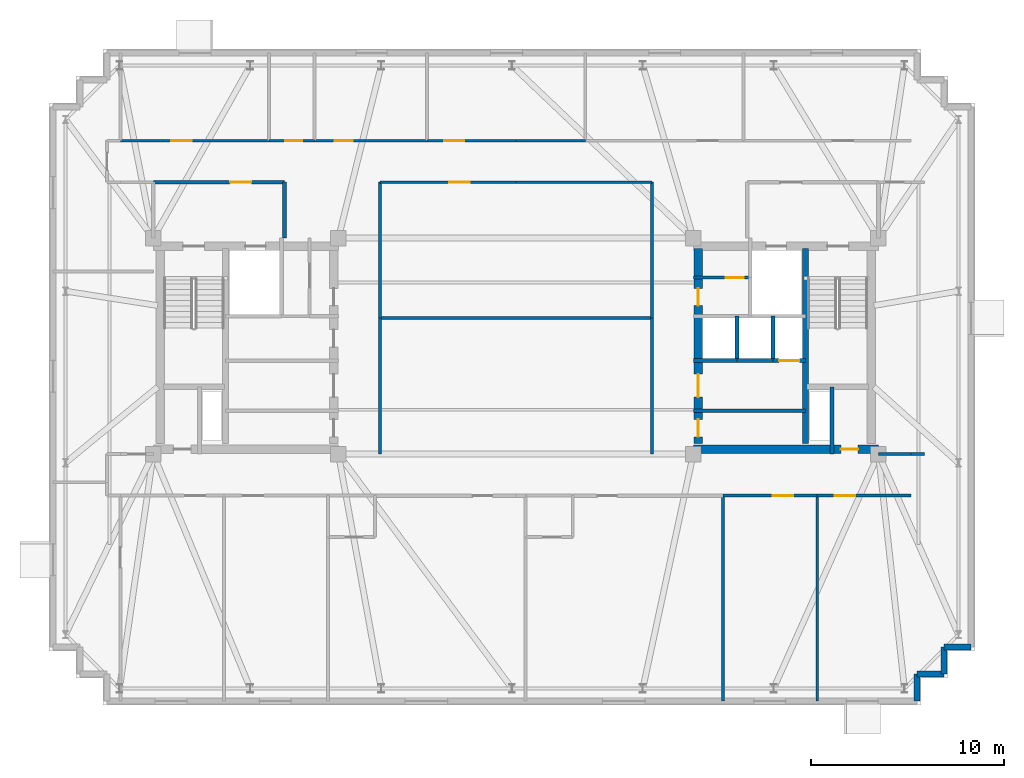
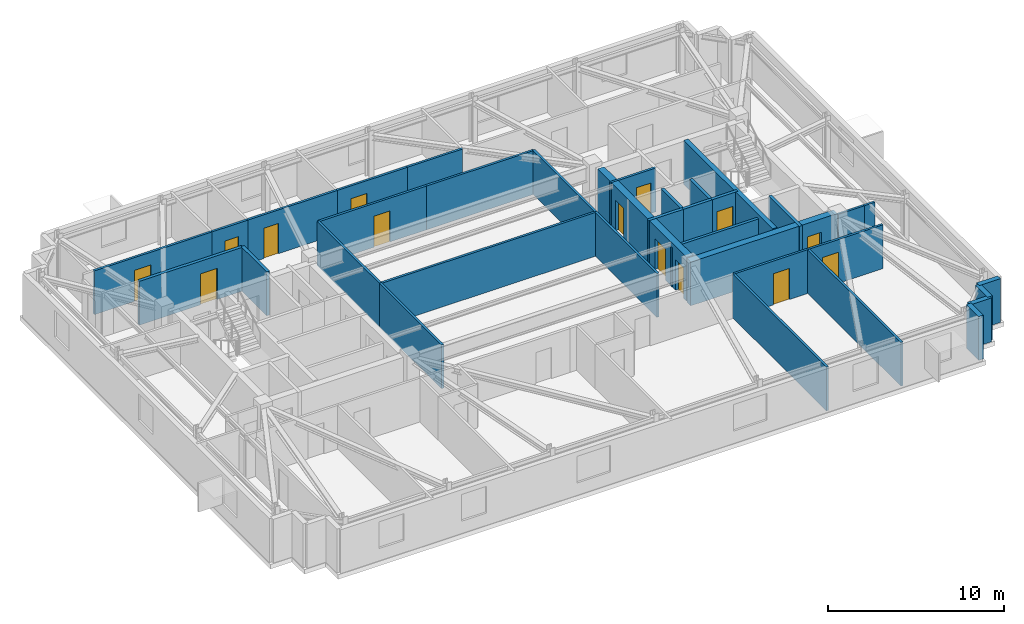
# One storey, part 7 of 11: 35 walls, 14 doors, 14 openings.
"""IFC4 building model written with IfcOpenShell, lengths in metres."""

from ifc_helpers import new_model, si_unit, direction, frame, frame_2d, origin, place, context, subcontext, project, spatial, rectangle, extrude, material, layer, layer_set, type_object, element, fill, save


model = new_model("IFC4")

# Units and contexts
model_context = context("Model", 3, precision=1e-05, world=origin(), true_north=direction((0.0, 1.0)))
body_context = subcontext(model_context, "Body", "Model", "MODEL_VIEW")
ifc_project = project(units=[si_unit("LENGTHUNIT", "METRE"), si_unit("AREAUNIT", "SQUARE_METRE"), si_unit("VOLUMEUNIT", "CUBIC_METRE"), si_unit("PLANEANGLEUNIT", "RADIAN"), si_unit("MASSUNIT", "GRAM", prefix="KILO")], contexts=[model_context])

# Site, building, storey
site_placement = place(None, origin())
site = spatial("IfcSite", under=ifc_project, at=site_placement, CompositionType="ELEMENT")
building_placement = place(site_placement, origin())
building = spatial("IfcBuilding", under=site, at=building_placement, Name="Qobustan Lattice House", CompositionType="ELEMENT")
storey_placement = place(building_placement, frame((0.0, 0.0, 258.449951171875)))
storey = spatial("IfcBuildingStorey", under=building, at=storey_placement, Name="L73", CompositionType="ELEMENT", Elevation=258.449951171875)

# Wall, opening, door
ifc_material_1 = material(Name="Concrete C50/60", Category="concrete")
ifc_layer_1 = layer(ifc_material_1, 0.43994140625)
ifc_layer_set_1 = layer_set([ifc_layer_1], Name="Concrete C50/60")
wall_type_1 = type_object("IfcWallType", Name="WAL-CORE-440", PredefinedType="SHEAR", material=ifc_layer_set_1)
wall_1_placement = place(storey_placement, frame((9.199951171875, -5.35009765625, 0.0), z_axis=(0.0, 0.0, 1.0), x_axis=(1.0, 0.0, 0.0)))
wall_1 = element("IfcWall", 1, at=wall_1_placement, inside=storey, type_object=wall_type_1, Name="L73 split-core shear wall CE-S", PredefinedType="SHEAR", context=body_context, shape_type="SweptSolid", body=[
    extrude(rectangle(XDim=9.60009765625, YDim=0.43994140625, at=frame_2d((4.800048828125, 0.0))), origin(), (0.0, 0.0, 1.0), 3.030029296875),
])
opening_1_placement = place(wall_1_placement, frame((7.64990234375, 0.0, 0.0)))
opening_1 = element("IfcOpeningElement", 2, at=opening_1_placement, cuts=wall_1, Name="Opening RD-01", PredefinedType="OPENING", context=body_context, shape_type="SweptSolid", body=[
    extrude(rectangle(XDim=0.89990234375, YDim=2.10009765625, at=frame_2d((0.449951171875, 1.050048828125))), frame((0.0, 0.22998046875, 0.0), z_axis=(0.0, -1.0, 0.0), x_axis=(1.0, 0.0, 0.0)), (0.0, 0.0, 1.0), 0.4599609375),
])
ifc_material_2 = material(Name="Persian walnut timber and steel frame door", Category="steel")
door_type_1 = type_object("IfcDoorType", Name="DOR-RISER-FD-900x2100", OperationType="NOTDEFINED", PredefinedType="DOOR", material=ifc_material_2)
door_1_placement = place(opening_1_placement, origin())
door_1 = element("IfcDoor", 3, at=door_1_placement, inside=storey, type_object=door_type_1, Name="L73 core service riser access door E", OperationType="SINGLE_SWING_RIGHT", OverallHeight=2.10009765625, OverallWidth=0.89990234375, PredefinedType="DOOR", context=body_context, shape_type="SweptSolid", body=[
    extrude(rectangle(XDim=0.89990234375, YDim=2.10009765625, at=frame_2d((0.449951171875, 1.050048828125))), frame((0.0, 0.02490234375, 0.0), z_axis=(0.0, -1.0, 0.0), x_axis=(1.0, 0.0, 0.0)), (0.0, 0.0, 1.0), 0.050048828125),
])
fill(opening_1, door_1)

# Wall, openings, doors
wall_2_placement = place(storey_placement, frame((9.449951171875, -5.050048828125, 0.0), z_axis=(0.0, 0.0, 1.0), x_axis=(0.0, 1.0, 0.0)))
wall_2 = element("IfcWall", 4, at=wall_2_placement, inside=storey, type_object=wall_type_1, Name="L73 split-core shear wall CE-W", PredefinedType="SHEAR", context=body_context, shape_type="SweptSolid", body=[
    extrude(rectangle(XDim=10.10009765625, YDim=0.43994140625, at=frame_2d((5.050048828125, 0.0))), origin(), (0.0, 0.0, 1.0), 3.030029296875),
])
opening_2_placement = place(wall_2_placement, frame((7.14990234375, 0.0, 0.0)))
opening_2 = element("IfcOpeningElement", 5, at=opening_2_placement, cuts=wall_2, Name="Opening RD-01", PredefinedType="OPENING", context=body_context, shape_type="SweptSolid", body=[
    extrude(rectangle(XDim=0.89990234375, YDim=2.10009765625, at=frame_2d((0.449951171875, 1.050048828125))), frame((0.0, 0.22998046875, 0.0), z_axis=(0.0, -1.0, 0.0), x_axis=(1.0, 0.0, 0.0)), (0.0, 0.0, 1.0), 0.4599609375),
])
opening_3_placement = place(wall_2_placement, frame((2.39990234375, 0.0, 0.0)))
opening_3 = element("IfcOpeningElement", 6, at=opening_3_placement, cuts=wall_2, Name="Opening FD-01", PredefinedType="OPENING", context=body_context, shape_type="SweptSolid", body=[
    extrude(rectangle(XDim=1.199951171875, YDim=2.14990234375, at=frame_2d((0.60009765625, 1.074951171875))), frame((0.0, 0.22998046875, 0.0), z_axis=(0.0, -1.0, 0.0), x_axis=(1.0, 0.0, 0.0)), (0.0, 0.0, 1.0), 0.4599609375),
])
opening_4_placement = place(wall_2_placement, frame((0.35009765625, 0.0, 0.0)))
opening_4 = element("IfcOpeningElement", 7, at=opening_4_placement, cuts=wall_2, Name="Opening RD-01", PredefinedType="OPENING", context=body_context, shape_type="SweptSolid", body=[
    extrude(rectangle(XDim=0.89990234375, YDim=2.10009765625, at=frame_2d((0.449951171875, 1.050048828125))), frame((0.0, 0.22998046875, 0.0), z_axis=(0.0, -1.0, 0.0), x_axis=(1.0, 0.0, 0.0)), (0.0, 0.0, 1.0), 0.4599609375),
])
ifc_material_3 = material(Name="Persian walnut timber and steel frame door", Category="steel")
door_type_2 = type_object("IfcDoorType", Name="DOR-LOBBY-FD-1200x2150", OperationType="NOTDEFINED", PredefinedType="DOOR", material=ifc_material_3)
door_2_placement = place(opening_3_placement, origin())
door_2 = element("IfcDoor", 8, at=door_2_placement, inside=storey, type_object=door_type_2, Name="L73 East passenger lift lobby fire door", OperationType="SINGLE_SWING_RIGHT", OverallHeight=2.14990234375, OverallWidth=1.199951171875, PredefinedType="DOOR", context=body_context, shape_type="SweptSolid", body=[
    extrude(rectangle(XDim=1.199951171875, YDim=2.14990234375, at=frame_2d((0.60009765625, 1.074951171875))), frame((0.0, 0.02490234375, 0.0), z_axis=(0.0, -1.0, 0.0), x_axis=(1.0, 0.0, 0.0)), (0.0, 0.0, 1.0), 0.050048828125),
])
fill(opening_3, door_2)
door_3_placement = place(opening_2_placement, origin())
door_3 = element("IfcDoor", 9, at=door_3_placement, inside=storey, type_object=door_type_1, Name="L73 Housekeeping utility foyer fire door", OperationType="SINGLE_SWING_LEFT", OverallHeight=2.10009765625, OverallWidth=0.89990234375, PredefinedType="DOOR", context=body_context, shape_type="SweptSolid", body=[
    extrude(rectangle(XDim=0.89990234375, YDim=2.10009765625, at=frame_2d((0.449951171875, 1.050048828125))), frame((0.0, 0.02490234375, 0.0), z_axis=(0.0, -1.0, 0.0), x_axis=(1.0, 0.0, 0.0)), (0.0, 0.0, 1.0), 0.050048828125),
])
fill(opening_2, door_3)
door_4_placement = place(opening_4_placement, origin())
door_4 = element("IfcDoor", 10, at=door_4_placement, inside=storey, type_object=door_type_1, Name="L73 Graduate seminar alcove fire door", OperationType="SINGLE_SWING_LEFT", OverallHeight=2.10009765625, OverallWidth=0.89990234375, PredefinedType="DOOR", context=body_context, shape_type="SweptSolid", body=[
    extrude(rectangle(XDim=0.89990234375, YDim=2.10009765625, at=frame_2d((0.449951171875, 1.050048828125))), frame((0.0, 0.02490234375, 0.0), z_axis=(0.0, -1.0, 0.0), x_axis=(1.0, 0.0, 0.0)), (0.0, 0.0, 1.0), 0.050048828125),
])
fill(opening_4, door_4)

# Walls
ifc_material_4 = material(Name="Concrete C50/60", Category="concrete")
ifc_layer_2 = layer(ifc_material_4, 0.280029296875)
ifc_layer_set_2 = layer_set([ifc_layer_2], Name="Concrete C50/60")
wall_type_2 = type_object("IfcWallType", Name="WAL-CORE-SPINE-280", PredefinedType="SHEAR", material=ifc_layer_set_2)
wall_3_placement = place(storey_placement, frame((15.02001953125, -5.050048828125, 0.0), z_axis=(0.0, 0.0, 1.0), x_axis=(0.0, 1.0, 0.0)))
element("IfcWall", 11, at=wall_3_placement, inside=storey, type_object=wall_type_2, Name="L73 split-core shear wall CE-M", PredefinedType="SHEAR", context=body_context, shape_type="SweptSolid", body=[
    extrude(rectangle(XDim=10.10009765625, YDim=0.300048828125, at=frame_2d((5.050048828125, 0.0))), origin(), (0.0, 0.0, 1.0), 3.030029296875),
])
ifc_material_5 = material(Name="Precast concrete C40/50", Category="concrete")
ifc_layer_3 = layer(ifc_material_5, 0.320068359375)
ifc_layer_set_3 = layer_set([ifc_layer_3], Name="Precast concrete C40/50")
wall_type_3 = type_object("IfcWallType", Name="WAL-EXT-STONE-320", PredefinedType="SOLIDWALL", material=ifc_layer_set_3)
wall_4_placement = place(storey_placement, frame((23.60009765625, -15.60009765625, 0.0), z_axis=(0.0, 0.0, 1.0), x_axis=(-1.0, 0.0, 0.0)))
element("IfcWall", 12, at=wall_4_placement, inside=storey, type_object=wall_type_3, Name="L73 exterior limestone-clad wall 16", PredefinedType="SOLIDWALL", context=body_context, shape_type="SweptSolid", body=[
    extrude(rectangle(XDim=1.400146484375, YDim=0.320068359375, at=frame_2d((0.7001953125, 0.0))), origin(), (0.0, 0.0, 1.0), 3.030029296875),
])
for number, where, z_axis, x_axis, name in (
    (13, (22.199951171875, -15.60009765625, 0.0), (0.0, 0.0, 1.0), (0.0, -1.0, 0.0), "L73 exterior limestone-clad wall 17"),
    (14, (22.199951171875, -17.0, 0.0), (0.0, 0.0, 1.0), (-1.0, 0.0, 0.0), "L73 exterior limestone-clad wall 18"),
    (15, (20.800048828125, -17.0, 0.0), (0.0, 0.0, 1.0), (0.0, -1.0, 0.0), "L73 exterior limestone-clad wall 19"),
):
    element("IfcWall", number, at=place(storey_placement, frame(where, z_axis=z_axis, x_axis=x_axis)), inside=storey, type_object=wall_type_3, Name=name, PredefinedType="SOLIDWALL", context=body_context, shape_type="SweptSolid", body=[
        extrude(rectangle(XDim=1.39990234375, YDim=0.320068359375, at=frame_2d((0.699951171875, 0.0))), origin(), (0.0, 0.0, 1.0), 3.030029296875),
    ])
ifc_material_6 = material(Name="Gypsum fireboard acoustic partition", Category="gypsum")
ifc_layer_4 = layer(ifc_material_6, 0.179931640625)
ifc_layer_set_4 = layer_set([ifc_layer_4], Name="Gypsum fireboard acoustic partition")
wall_type_4 = type_object("IfcWallType", Name="WAL-FIRE-180", PredefinedType="PARTITIONING", material=ifc_layer_set_4)
wall_5_placement = place(storey_placement, frame((9.199951171875, -3.35009765625, 0.0), z_axis=(0.0, 0.0, 1.0), x_axis=(1.0, 0.0, 0.0)))
element("IfcWall", 16, at=wall_5_placement, inside=storey, type_object=wall_type_4, Name="L73 interior partition 23", PredefinedType="PARTITIONING", context=body_context, shape_type="SweptSolid", body=[
    extrude(rectangle(XDim=5.820068359375, YDim=0.179931640625, at=frame_2d((2.91015625, 0.0))), origin(), (0.0, 0.0, 1.0), 2.7451171875),
])

# Wall, opening, door
ifc_material_7 = material(Name="Acoustic twin-stud gypsum partition", Category="gypsum")
ifc_layer_5 = layer(ifc_material_7, 0.14990234375)
ifc_layer_set_5 = layer_set([ifc_layer_5], Name="Acoustic twin-stud gypsum partition")
wall_type_5 = type_object("IfcWallType", Name="WAL-PART-150", PredefinedType="PARTITIONING", material=ifc_layer_set_5)
wall_6_placement = place(storey_placement, frame((12.14990234375, 3.550048828125, 0.0), z_axis=(0.0, 0.0, 1.0), x_axis=(-1.0, 0.0, 0.0)))
wall_6 = element("IfcWall", 17, at=wall_6_placement, inside=storey, type_object=wall_type_5, Name="L73 interior partition 21", PredefinedType="PARTITIONING", context=body_context, shape_type="SweptSolid", body=[
    extrude(rectangle(XDim=2.949951171875, YDim=0.14990234375, at=frame_2d((1.47509765625, 0.0))), origin(), (0.0, 0.0, 1.0), 3.030029296875),
])
opening_5_placement = place(wall_6_placement, frame((0.324951171875, 0.0, 0.0)))
opening_5 = element("IfcOpeningElement", 18, at=opening_5_placement, cuts=wall_6, Name="Opening ID-01", PredefinedType="OPENING", context=body_context, shape_type="SweptSolid", body=[
    extrude(rectangle(XDim=0.949951171875, YDim=2.10009765625, at=frame_2d((0.47509765625, 1.050048828125))), frame((0.0, 0.0849609375, 0.0), z_axis=(0.0, -1.0, 0.0), x_axis=(1.0, 0.0, 0.0)), (0.0, 0.0, 1.0), 0.169921875),
])
ifc_material_8 = material(Name="Persian walnut timber and steel frame door", Category="steel")
door_type_3 = type_object("IfcDoorType", Name="DOR-ROOM-950x2100", OperationType="NOTDEFINED", PredefinedType="DOOR", material=ifc_material_8)
door_5_placement = place(opening_5_placement, origin())
door_5 = element("IfcDoor", 19, at=door_5_placement, inside=storey, type_object=door_type_3, Name="L73 Housekeeping utility foyer to Cleaner cupboard door", OperationType="SINGLE_SWING_RIGHT", OverallHeight=2.10009765625, OverallWidth=0.949951171875, PredefinedType="DOOR", context=body_context, shape_type="SweptSolid", body=[
    extrude(rectangle(XDim=0.949951171875, YDim=2.10009765625, at=frame_2d((0.47509765625, 1.050048828125))), frame((0.0, 0.02490234375, 0.0), z_axis=(0.0, -1.0, 0.0), x_axis=(1.0, 0.0, 0.0)), (0.0, 0.0, 1.0), 0.050048828125),
])
fill(opening_5, door_5)

wall_7_placement = place(storey_placement, frame((-20.5, 10.64990234375, 0.0), z_axis=(0.0, 0.0, 1.0), x_axis=(1.0, 0.0, 0.0)))
wall_7 = element("IfcWall", 20, at=wall_7_placement, inside=storey, type_object=wall_type_5, Name="L73 interior partition 35", PredefinedType="PARTITIONING", context=body_context, shape_type="SweptSolid", body=[
    extrude(rectangle(XDim=7.699951171875, YDim=0.14990234375, at=frame_2d((3.85009765625, 0.0))), origin(), (0.0, 0.0, 1.0), 3.030029296875),
])
opening_6_placement = place(wall_7_placement, frame((2.638671875, 0.0, 0.0)))
opening_6 = element("IfcOpeningElement", 21, at=opening_6_placement, cuts=wall_7, Name="Opening ID-02", PredefinedType="OPENING", context=body_context, shape_type="SweptSolid", body=[
    extrude(rectangle(XDim=1.050048828125, YDim=2.14990234375, at=frame_2d((0.52490234375, 1.074951171875))), frame((0.0, 0.0849609375, 0.0), z_axis=(0.0, -1.0, 0.0), x_axis=(1.0, 0.0, 0.0)), (0.0, 0.0, 1.0), 0.169921875),
])
ifc_material_9 = material(Name="Persian walnut timber and steel frame door", Category="steel")
door_type_4 = type_object("IfcDoorType", Name="DOR-STUDY-1050x2150", OperationType="NOTDEFINED", PredefinedType="DOOR", material=ifc_material_9)
door_6_placement = place(opening_6_placement, origin())
door_6 = element("IfcDoor", 22, at=door_6_placement, inside=storey, type_object=door_type_4, Name="L73 North-west floor corridor to Focus study room N1 door", OperationType="SINGLE_SWING_LEFT", OverallHeight=2.14990234375, OverallWidth=1.050048828125, PredefinedType="DOOR", context=body_context, shape_type="SweptSolid", body=[
    extrude(rectangle(XDim=1.050048828125, YDim=2.14990234375, at=frame_2d((0.52490234375, 1.074951171875))), frame((0.0, 0.02490234375, 0.0), z_axis=(0.0, -1.0, 0.0), x_axis=(1.0, 0.0, 0.0)), (0.0, 0.0, 1.0), 0.050048828125),
])
fill(opening_6, door_6)

wall_8_placement = place(storey_placement, frame((-10.449951171875, 10.64990234375, 0.0), z_axis=(0.0, 0.0, 1.0), x_axis=(1.0, 0.0, 0.0)))
wall_8 = element("IfcWall", 23, at=wall_8_placement, inside=storey, type_object=wall_type_5, Name="L73 interior partition 37", PredefinedType="PARTITIONING", context=body_context, shape_type="SweptSolid", body=[
    extrude(rectangle(XDim=5.849853515625, YDim=0.14990234375, at=frame_2d((2.9248046875, 0.0))), origin(), (0.0, 0.0, 1.0), 3.030029296875),
])
opening_7_placement = place(wall_8_placement, frame((1.047607421875, 0.0, 0.0)))
opening_7 = element("IfcOpeningElement", 24, at=opening_7_placement, cuts=wall_8, Name="Opening ID-01", PredefinedType="OPENING", context=body_context, shape_type="SweptSolid", body=[
    extrude(rectangle(XDim=0.949951171875, YDim=2.10009765625, at=frame_2d((0.47509765625, 1.050048828125))), frame((0.0, 0.0849609375, 0.0), z_axis=(0.0, -1.0, 0.0), x_axis=(1.0, 0.0, 0.0)), (0.0, 0.0, 1.0), 0.169921875),
])
door_7_placement = place(opening_7_placement, origin())
door_7 = element("IfcDoor", 25, at=door_7_placement, inside=storey, type_object=door_type_3, Name="L73 North-west floor corridor to Laundry utility room door", OperationType="SINGLE_SWING_LEFT", OverallHeight=2.10009765625, OverallWidth=0.949951171875, PredefinedType="DOOR", context=body_context, shape_type="SweptSolid", body=[
    extrude(rectangle(XDim=0.949951171875, YDim=2.10009765625, at=frame_2d((0.47509765625, 1.050048828125))), frame((0.0, 0.02490234375, 0.0), z_axis=(0.0, -1.0, 0.0), x_axis=(1.0, 0.0, 0.0)), (0.0, 0.0, 1.0), 0.050048828125),
])
fill(opening_7, door_7)

wall_9_placement = place(storey_placement, frame((-4.60009765625, 10.64990234375, 0.0), z_axis=(0.0, 0.0, 1.0), x_axis=(1.0, 0.0, 0.0)))
wall_9 = element("IfcWall", 26, at=wall_9_placement, inside=storey, type_object=wall_type_5, Name="L73 interior partition 38", PredefinedType="PARTITIONING", context=body_context, shape_type="SweptSolid", body=[
    extrude(rectangle(XDim=4.60009765625, YDim=0.14990234375, at=frame_2d((2.300048828125, 0.0))), origin(), (0.0, 0.0, 1.0), 3.030029296875),
])
opening_8_placement = place(wall_9_placement, frame((0.87890625, 0.0, 0.0)))
opening_8 = element("IfcOpeningElement", 27, at=opening_8_placement, cuts=wall_9, Name="Opening ID-02", PredefinedType="OPENING", context=body_context, shape_type="SweptSolid", body=[
    extrude(rectangle(XDim=1.050048828125, YDim=2.14990234375, at=frame_2d((0.52490234375, 1.074951171875))), frame((0.0, 0.0849609375, 0.0), z_axis=(0.0, -1.0, 0.0), x_axis=(1.0, 0.0, 0.0)), (0.0, 0.0, 1.0), 0.169921875),
])
door_8_placement = place(opening_8_placement, origin())
door_8 = element("IfcDoor", 28, at=door_8_placement, inside=storey, type_object=door_type_4, Name="L73 North-west floor corridor to Focus study room N3 door", OperationType="SINGLE_SWING_RIGHT", OverallHeight=2.14990234375, OverallWidth=1.050048828125, PredefinedType="DOOR", context=body_context, shape_type="SweptSolid", body=[
    extrude(rectangle(XDim=1.050048828125, YDim=2.14990234375, at=frame_2d((0.52490234375, 1.074951171875))), frame((0.0, 0.02490234375, 0.0), z_axis=(0.0, -1.0, 0.0), x_axis=(1.0, 0.0, 0.0)), (0.0, 0.0, 1.0), 0.050048828125),
])
fill(opening_8, door_8)

wall_10_placement = place(storey_placement, frame((0.0, 8.5, 0.0), z_axis=(0.0, 0.0, 1.0), x_axis=(-1.0, 0.0, 0.0)))
wall_10 = element("IfcWall", 29, at=wall_10_placement, inside=storey, type_object=wall_type_5, Name="L73 interior partition 39", PredefinedType="PARTITIONING", context=body_context, shape_type="SweptSolid", body=[
    extrude(rectangle(XDim=7.050048828125, YDim=0.14990234375, at=frame_2d((3.52490234375, 0.0))), origin(), (0.0, 0.0, 1.0), 3.030029296875),
])
opening_9_placement = place(wall_10_placement, frame((2.39501953125, 0.0, 0.0)))
opening_9 = element("IfcOpeningElement", 30, at=opening_9_placement, cuts=wall_10, Name="Opening ID-02", PredefinedType="OPENING", context=body_context, shape_type="SweptSolid", body=[
    extrude(rectangle(XDim=1.050048828125, YDim=2.14990234375, at=frame_2d((0.52490234375, 1.074951171875))), frame((0.0, 0.0849609375, 0.0), z_axis=(0.0, -1.0, 0.0), x_axis=(1.0, 0.0, 0.0)), (0.0, 0.0, 1.0), 0.169921875),
])
door_9_placement = place(opening_9_placement, origin())
door_9 = element("IfcDoor", 31, at=door_9_placement, inside=storey, type_object=door_type_4, Name="L73 North-west floor corridor to Shared social lounge door", OperationType="SINGLE_SWING_LEFT", OverallHeight=2.14990234375, OverallWidth=1.050048828125, PredefinedType="DOOR", context=body_context, shape_type="SweptSolid", body=[
    extrude(rectangle(XDim=1.050048828125, YDim=2.14990234375, at=frame_2d((0.52490234375, 1.074951171875))), frame((0.0, 0.02490234375, 0.0), z_axis=(0.0, -1.0, 0.0), x_axis=(1.0, 0.0, 0.0)), (0.0, 0.0, 1.0), 0.050048828125),
])
fill(opening_9, door_9)

# Walls
wall_11_placement = place(storey_placement, frame((0.0, 10.64990234375, 0.0), z_axis=(0.0, 0.0, 1.0), x_axis=(1.0, 0.0, 0.0)))
element("IfcWall", 32, at=wall_11_placement, inside=storey, type_object=wall_type_5, Name="L73 interior partition 42", PredefinedType="PARTITIONING", context=body_context, shape_type="SweptSolid", body=[
    extrude(rectangle(XDim=3.60009765625, YDim=0.14990234375, at=frame_2d((1.800048828125, 0.0))), origin(), (0.0, 0.0, 1.0), 3.030029296875),
])
wall_12_placement = place(storey_placement, frame((7.050048828125, 8.5, 0.0), z_axis=(0.0, 0.0, 1.0), x_axis=(-1.0, 0.0, 0.0)))
element("IfcWall", 33, at=wall_12_placement, inside=storey, type_object=wall_type_5, Name="L73 interior partition 45", PredefinedType="PARTITIONING", context=body_context, shape_type="SweptSolid", body=[
    extrude(rectangle(XDim=7.050048828125, YDim=0.14990234375, at=frame_2d((3.52490234375, 0.0))), origin(), (0.0, 0.0, 1.0), 3.030029296875),
])
wall_13_placement = place(storey_placement, frame((18.800048828125, -5.60009765625, 0.0), z_axis=(0.0, 0.0, 1.0), x_axis=(1.0, 0.0, 0.0)))
element("IfcWall", 34, at=wall_13_placement, inside=storey, type_object=wall_type_5, Name="L73 interior partition 55", PredefinedType="PARTITIONING", context=body_context, shape_type="SweptSolid", body=[
    extrude(rectangle(XDim=1.699951171875, YDim=0.14990234375, at=frame_2d((0.85009765625, 0.0))), origin(), (0.0, 0.0, 1.0), 3.030029296875),
])
wall_14_placement = place(storey_placement, frame((20.5, -5.60009765625, 0.0), z_axis=(0.0, 0.0, 1.0), x_axis=(1.0, 0.0, 0.0)))
element("IfcWall", 35, at=wall_14_placement, inside=storey, type_object=wall_type_5, Name="L73 interior partition 56", PredefinedType="PARTITIONING", context=body_context, shape_type="SweptSolid", body=[
    extrude(rectangle(XDim=0.699951171875, YDim=0.14990234375, at=frame_2d((0.35009765625, 0.0))), origin(), (0.0, 0.0, 1.0), 3.030029296875),
])

# Wall, opening, door
wall_15_placement = place(storey_placement, frame((15.625, -7.75, 0.0), z_axis=(0.0, 0.0, 1.0), x_axis=(-1.0, 0.0, 0.0)))
wall_15 = element("IfcWall", 36, at=wall_15_placement, inside=storey, type_object=wall_type_5, Name="L73 interior partition 60", PredefinedType="PARTITIONING", context=body_context, shape_type="SweptSolid", body=[
    extrude(rectangle(XDim=4.875, YDim=0.14990234375, at=frame_2d((2.4375, 0.0))), origin(), (0.0, 0.0, 1.0), 3.030029296875),
])
opening_10_placement = place(wall_15_placement, frame((1.24609375, 0.0, 0.0)))
opening_10 = element("IfcOpeningElement", 37, at=opening_10_placement, cuts=wall_15, Name="Opening ID-02", PredefinedType="OPENING", context=body_context, shape_type="SweptSolid", body=[
    extrude(rectangle(XDim=1.050048828125, YDim=2.14990234375, at=frame_2d((0.52490234375, 1.074951171875))), frame((0.0, 0.0849609375, 0.0), z_axis=(0.0, -1.0, 0.0), x_axis=(1.0, 0.0, 0.0)), (0.0, 0.0, 1.0), 0.169921875),
])
door_10_placement = place(opening_10_placement, origin())
door_10 = element("IfcDoor", 38, at=door_10_placement, inside=storey, type_object=door_type_4, Name="L73 South-east floor corridor to Group study room door", OperationType="SINGLE_SWING_RIGHT", OverallHeight=2.14990234375, OverallWidth=1.050048828125, PredefinedType="DOOR", context=body_context, shape_type="SweptSolid", body=[
    extrude(rectangle(XDim=1.050048828125, YDim=2.14990234375, at=frame_2d((0.52490234375, 1.074951171875))), frame((0.0, 0.02490234375, 0.0), z_axis=(0.0, -1.0, 0.0), x_axis=(1.0, 0.0, 0.0)), (0.0, 0.0, 1.0), 0.050048828125),
])
fill(opening_10, door_10)

wall_16_placement = place(storey_placement, frame((20.5, -7.75, 0.0), z_axis=(0.0, 0.0, 1.0), x_axis=(-1.0, 0.0, 0.0)))
wall_16 = element("IfcWall", 39, at=wall_16_placement, inside=storey, type_object=wall_type_5, Name="L73 interior partition 61", PredefinedType="PARTITIONING", context=body_context, shape_type="SweptSolid", body=[
    extrude(rectangle(XDim=4.875, YDim=0.14990234375, at=frame_2d((2.4375, 0.0))), origin(), (0.0, 0.0, 1.0), 3.030029296875),
])
opening_11_placement = place(wall_16_placement, frame((2.911865234375, 0.0, 0.0)))
opening_11 = element("IfcOpeningElement", 40, at=opening_11_placement, cuts=wall_16, Name="Opening ID-02", PredefinedType="OPENING", context=body_context, shape_type="SweptSolid", body=[
    extrude(rectangle(XDim=1.050048828125, YDim=2.14990234375, at=frame_2d((0.52490234375, 1.074951171875))), frame((0.0, 0.0849609375, 0.0), z_axis=(0.0, -1.0, 0.0), x_axis=(1.0, 0.0, 0.0)), (0.0, 0.0, 1.0), 0.169921875),
])
door_11_placement = place(opening_11_placement, origin())
door_11 = element("IfcDoor", 41, at=door_11_placement, inside=storey, type_object=door_type_4, Name="L73 South-east floor corridor to Academic seminar room door", OperationType="SINGLE_SWING_LEFT", OverallHeight=2.14990234375, OverallWidth=1.050048828125, PredefinedType="DOOR", context=body_context, shape_type="SweptSolid", body=[
    extrude(rectangle(XDim=1.050048828125, YDim=2.14990234375, at=frame_2d((0.52490234375, 1.074951171875))), frame((0.0, 0.02490234375, 0.0), z_axis=(0.0, -1.0, 0.0), x_axis=(1.0, 0.0, 0.0)), (0.0, 0.0, 1.0), 0.050048828125),
])
fill(opening_11, door_11)

# Walls
for number, where, z_axis, x_axis, name in (
    (42, (-7.050048828125, 1.449951171875, 0.0), (0.0, 0.0, 1.0), (0.0, -1.0, 0.0), "L73 interior partition 62"),
    (43, (-7.050048828125, 8.5, 0.0), (0.0, 0.0, 1.0), (0.0, -1.0, 0.0), "L73 interior partition 63"),
    (44, (7.050048828125, -5.60009765625, 0.0), (0.0, 0.0, 1.0), (0.0, 1.0, 0.0), "L73 interior partition 64"),
    (45, (7.050048828125, 1.449951171875, 0.0), (0.0, 0.0, 1.0), (0.0, 1.0, 0.0), "L73 interior partition 65"),
):
    element("IfcWall", number, at=place(storey_placement, frame(where, z_axis=z_axis, x_axis=x_axis)), inside=storey, type_object=wall_type_5, Name=name, PredefinedType="PARTITIONING", context=body_context, shape_type="SweptSolid", body=[
        extrude(rectangle(XDim=7.050048828125, YDim=0.14990234375, at=frame_2d((3.52490234375, 0.0))), origin(), (0.0, 0.0, 1.0), 3.030029296875),
    ])
for number, where, z_axis, x_axis, name in (
    (46, (10.75, -7.75, 0.0), (0.0, 0.0, 1.0), (0.0, -1.0, 0.0), "L73 interior partition 84"),
    (47, (15.625, -7.75, 0.0), (0.0, 0.0, 1.0), (0.0, -1.0, 0.0), "L73 interior partition 85"),
):
    element("IfcWall", number, at=place(storey_placement, frame(where, z_axis=z_axis, x_axis=x_axis)), inside=storey, type_object=wall_type_5, Name=name, PredefinedType="PARTITIONING", context=body_context, shape_type="SweptSolid", body=[
        extrude(rectangle(XDim=10.64990234375, YDim=0.14990234375, at=frame_2d((5.324951171875, 0.0))), origin(), (0.0, 0.0, 1.0), 3.030029296875),
    ])
wall_17_placement = place(storey_placement, frame((-7.050048828125, 1.449951171875, 0.0), z_axis=(0.0, 0.0, 1.0), x_axis=(1.0, 0.0, 0.0)))
element("IfcWall", 48, at=wall_17_placement, inside=storey, type_object=wall_type_5, Name="L73 interior partition 86", PredefinedType="PARTITIONING", context=body_context, shape_type="SweptSolid", body=[
    extrude(rectangle(XDim=14.10009765625, YDim=0.14990234375, at=frame_2d((7.050048828125, 0.0))), origin(), (0.0, 0.0, 1.0), 3.030029296875),
])

# Wall, opening, door
ifc_material_10 = material(Name="Two-hour gypsum fireboard acoustic partition", Category="gypsum")
ifc_layer_6 = layer(ifc_material_10, 0.199951171875)
ifc_layer_set_6 = layer_set([ifc_layer_6], Name="Two-hour gypsum fireboard acoustic partition")
wall_type_6 = type_object("IfcWallType", Name="WAL-PROT-200", PredefinedType="PARTITIONING", material=ifc_layer_set_6)
wall_18_placement = place(storey_placement, frame((-12.0, 8.5, 0.0), z_axis=(0.0, 0.0, 1.0), x_axis=(-1.0, 0.0, 0.0)))
wall_18 = element("IfcWall", 49, at=wall_18_placement, inside=storey, type_object=wall_type_6, Name="L73 interior partition 3", PredefinedType="PARTITIONING", context=body_context, shape_type="SweptSolid", body=[
    extrude(rectangle(XDim=6.800048828125, YDim=0.199951171875, at=frame_2d((3.39990234375, 0.0))), origin(), (0.0, 0.0, 1.0), 3.030029296875),
])
opening_12_placement = place(wall_18_placement, frame((1.715087890625, 0.0, 0.0)))
opening_12 = element("IfcOpeningElement", 50, at=opening_12_placement, cuts=wall_18, Name="Opening SD-01", PredefinedType="OPENING", context=body_context, shape_type="SweptSolid", body=[
    extrude(rectangle(XDim=1.10009765625, YDim=2.14990234375, at=frame_2d((0.550048828125, 1.074951171875))), frame((0.0, 0.10986328125, 0.0), z_axis=(0.0, -1.0, 0.0), x_axis=(1.0, 0.0, 0.0)), (0.0, 0.0, 1.0), 0.219970703125),
])
ifc_material_11 = material(Name="Persian walnut timber and steel frame door", Category="steel")
door_type_5 = type_object("IfcDoorType", Name="DOR-STAIR-FD-1100x2150", OperationType="NOTDEFINED", PredefinedType="DOOR", material=ifc_material_11)
door_12_placement = place(opening_12_placement, origin())
door_12 = element("IfcDoor", 51, at=door_12_placement, inside=storey, type_object=door_type_5, Name="L73 West firefighting lift lobby to North-west floor corridor door", OperationType="SINGLE_SWING_LEFT", OverallHeight=2.14990234375, OverallWidth=1.10009765625, PredefinedType="DOOR", context=body_context, shape_type="SweptSolid", body=[
    extrude(rectangle(XDim=1.10009765625, YDim=2.14990234375, at=frame_2d((0.550048828125, 1.074951171875))), frame((0.0, 0.02490234375, 0.0), z_axis=(0.0, -1.0, 0.0), x_axis=(1.0, 0.0, 0.0)), (0.0, 0.0, 1.0), 0.050048828125),
])
fill(opening_12, door_12)

# Walls
wall_19_placement = place(storey_placement, frame((-12.0, 5.60009765625, 0.0), z_axis=(0.0, 0.0, 1.0), x_axis=(0.0, 1.0, 0.0)))
element("IfcWall", 52, at=wall_19_placement, inside=storey, type_object=wall_type_6, Name="L73 interior partition 4", PredefinedType="PARTITIONING", context=body_context, shape_type="SweptSolid", body=[
    extrude(rectangle(XDim=2.89990234375, YDim=0.199951171875, at=frame_2d((1.449951171875, 0.0))), origin(), (0.0, 0.0, 1.0), 3.030029296875),
])
ifc_material_12 = material(Name="Concrete C40/50", Category="concrete")
ifc_layer_7 = layer(ifc_material_12, 0.199951171875)
ifc_layer_set_7 = layer_set([ifc_layer_7], Name="Concrete C40/50")
wall_type_7 = type_object("IfcWallType", Name="WAL-SHAFT-200", PredefinedType="PARTITIONING", material=ifc_layer_set_7)
wall_20_placement = place(storey_placement, frame((16.39990234375, -2.110107421875, 0.0), z_axis=(0.0, 0.0, 1.0), x_axis=(0.0, -1.0, 0.0)))
element("IfcWall", 53, at=wall_20_placement, inside=storey, type_object=wall_type_7, Name="L73 interior partition 15", PredefinedType="PARTITIONING", context=body_context, shape_type="SweptSolid", body=[
    extrude(rectangle(XDim=3.489990234375, YDim=0.199951171875, at=frame_2d((1.7451171875, 0.0))), origin(), (0.0, 0.0, 1.0), 3.030029296875),
])
wall_21_placement = place(storey_placement, frame((11.4599609375, -0.75, 0.0), z_axis=(0.0, 0.0, 1.0), x_axis=(-1.0, 0.0, 0.0)))
element("IfcWall", 54, at=wall_21_placement, inside=storey, type_object=wall_type_7, Name="L73 interior partition 24", PredefinedType="PARTITIONING", context=body_context, shape_type="SweptSolid", body=[
    extrude(rectangle(XDim=2.260009765625, YDim=0.199951171875, at=frame_2d((1.1298828125, 0.0))), origin(), (0.0, 0.0, 1.0), 3.030029296875),
])
wall_22_placement = place(storey_placement, frame((13.340087890625, -0.75, 0.0), z_axis=(0.0, 0.0, 1.0), x_axis=(-1.0, 0.0, 0.0)))
element("IfcWall", 55, at=wall_22_placement, inside=storey, type_object=wall_type_7, Name="L73 interior partition 25", PredefinedType="PARTITIONING", context=body_context, shape_type="SweptSolid", body=[
    extrude(rectangle(XDim=1.880126953125, YDim=0.199951171875, at=frame_2d((0.93994140625, 0.0))), origin(), (0.0, 0.0, 1.0), 3.030029296875),
])

# Wall, opening, door
wall_23_placement = place(storey_placement, frame((15.02001953125, -0.75, 0.0), z_axis=(0.0, 0.0, 1.0), x_axis=(-1.0, 0.0, 0.0)))
wall_23 = element("IfcWall", 56, at=wall_23_placement, inside=storey, type_object=wall_type_7, Name="L73 interior partition 26", PredefinedType="PARTITIONING", context=body_context, shape_type="SweptSolid", body=[
    extrude(rectangle(XDim=1.679931640625, YDim=0.199951171875, at=frame_2d((0.83984375, 0.0))), origin(), (0.0, 0.0, 1.0), 3.030029296875),
])
opening_13_placement = place(wall_23_placement, frame((0.31494140625, 0.0, 0.0)))
opening_13 = element("IfcOpeningElement", 57, at=opening_13_placement, cuts=wall_23, Name="Opening LD-01", PredefinedType="OPENING", context=body_context, shape_type="SweptSolid", body=[
    extrude(rectangle(XDim=1.050048828125, YDim=2.10009765625, at=frame_2d((0.52490234375, 1.050048828125))), frame((0.0, 0.10986328125, 0.0), z_axis=(0.0, -1.0, 0.0), x_axis=(1.0, 0.0, 0.0)), (0.0, 0.0, 1.0), 0.219970703125),
])
ifc_material_13 = material(Name="Persian walnut timber and steel frame door", Category="steel")
door_type_6 = type_object("IfcDoorType", Name="DOR-LIFT-LD-1050x2100", OperationType="NOTDEFINED", PredefinedType="DOOR", material=ifc_material_13)
door_13_placement = place(opening_13_placement, origin())
door_13 = element("IfcDoor", 58, at=door_13_placement, inside=storey, type_object=door_type_6, Name="L73 lift landing door", OperationType="DOUBLE_DOOR_SLIDING", OverallHeight=2.10009765625, OverallWidth=1.050048828125, PredefinedType="DOOR", context=body_context, shape_type="SweptSolid", body=[
    extrude(rectangle(XDim=1.050048828125, YDim=2.10009765625, at=frame_2d((0.52490234375, 1.050048828125))), frame((0.0, 0.02490234375, 0.0), z_axis=(0.0, -1.0, 0.0), x_axis=(1.0, 0.0, 0.0)), (0.0, 0.0, 1.0), 0.050048828125),
])
fill(opening_13, door_13)

# Walls
for number, where, z_axis, x_axis, name in (
    (59, (11.4599609375, -0.75, 0.0), (0.0, 0.0, 1.0), (0.0, 1.0, 0.0), "L73 interior partition 29"),
    (60, (13.340087890625, -0.75, 0.0), (0.0, 0.0, 1.0), (0.0, 1.0, 0.0), "L73 interior partition 30"),
):
    element("IfcWall", number, at=place(storey_placement, frame(where, z_axis=z_axis, x_axis=x_axis)), inside=storey, type_object=wall_type_7, Name=name, PredefinedType="PARTITIONING", context=body_context, shape_type="SweptSolid", body=[
        extrude(rectangle(XDim=2.300048828125, YDim=0.199951171875, at=frame_2d((1.14990234375, 0.0))), origin(), (0.0, 0.0, 1.0), 3.030029296875),
    ])

# Wall, opening, door
ifc_material_14 = material(Name="Moisture-resistant acoustic plumbing wall", Category="gypsum")
ifc_layer_8 = layer(ifc_material_14, 0.14990234375)
ifc_layer_set_8 = layer_set([ifc_layer_8], Name="Moisture-resistant acoustic plumbing wall")
wall_type_8 = type_object("IfcWallType", Name="WAL-WET-150", PredefinedType="PLUMBINGWALL", material=ifc_layer_set_8)
wall_24_placement = place(storey_placement, frame((-12.800048828125, 10.64990234375, 0.0), z_axis=(0.0, 0.0, 1.0), x_axis=(1.0, 0.0, 0.0)))
wall_24 = element("IfcWall", 61, at=wall_24_placement, inside=storey, type_object=wall_type_8, Name="L73 interior partition 36", PredefinedType="PLUMBINGWALL", context=body_context, shape_type="SweptSolid", body=[
    extrude(rectangle(XDim=2.35009765625, YDim=0.14990234375, at=frame_2d((1.175048828125, 0.0))), origin(), (0.0, 0.0, 1.0), 3.030029296875),
])
opening_14_placement = place(wall_24_placement, frame((0.833740234375, 0.0, 0.0)))
opening_14 = element("IfcOpeningElement", 62, at=opening_14_placement, cuts=wall_24, Name="Opening WD-01", PredefinedType="OPENING", context=body_context, shape_type="SweptSolid", body=[
    extrude(rectangle(XDim=0.89990234375, YDim=2.10009765625, at=frame_2d((0.449951171875, 1.050048828125))), frame((0.0, 0.0849609375, 0.0), z_axis=(0.0, -1.0, 0.0), x_axis=(1.0, 0.0, 0.0)), (0.0, 0.0, 1.0), 0.169921875),
])
ifc_material_15 = material(Name="Persian walnut timber and steel frame door", Category="steel")
door_type_7 = type_object("IfcDoorType", Name="DOR-WET-900x2100", OperationType="NOTDEFINED", PredefinedType="DOOR", material=ifc_material_15)
door_14_placement = place(opening_14_placement, origin())
door_14 = element("IfcDoor", 63, at=door_14_placement, inside=storey, type_object=door_type_7, Name="L73 North-west floor corridor to Accessible WC door", OperationType="SINGLE_SWING_RIGHT", OverallHeight=2.10009765625, OverallWidth=0.89990234375, PredefinedType="DOOR", context=body_context, shape_type="SweptSolid", body=[
    extrude(rectangle(XDim=0.89990234375, YDim=2.10009765625, at=frame_2d((0.449951171875, 1.050048828125))), frame((0.0, 0.02490234375, 0.0), z_axis=(0.0, -1.0, 0.0), x_axis=(1.0, 0.0, 0.0)), (0.0, 0.0, 1.0), 0.050048828125),
])
fill(opening_14, door_14)

save(model, "model.ifc")
